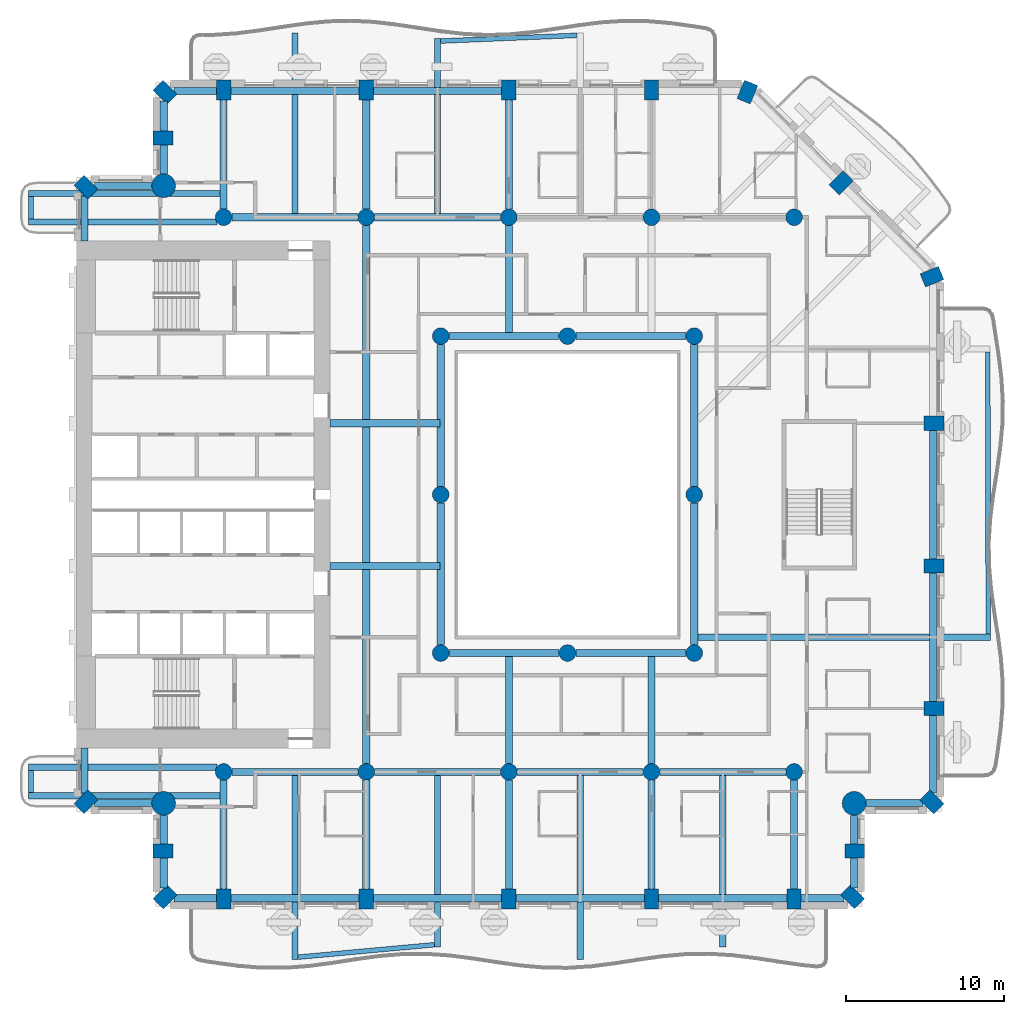
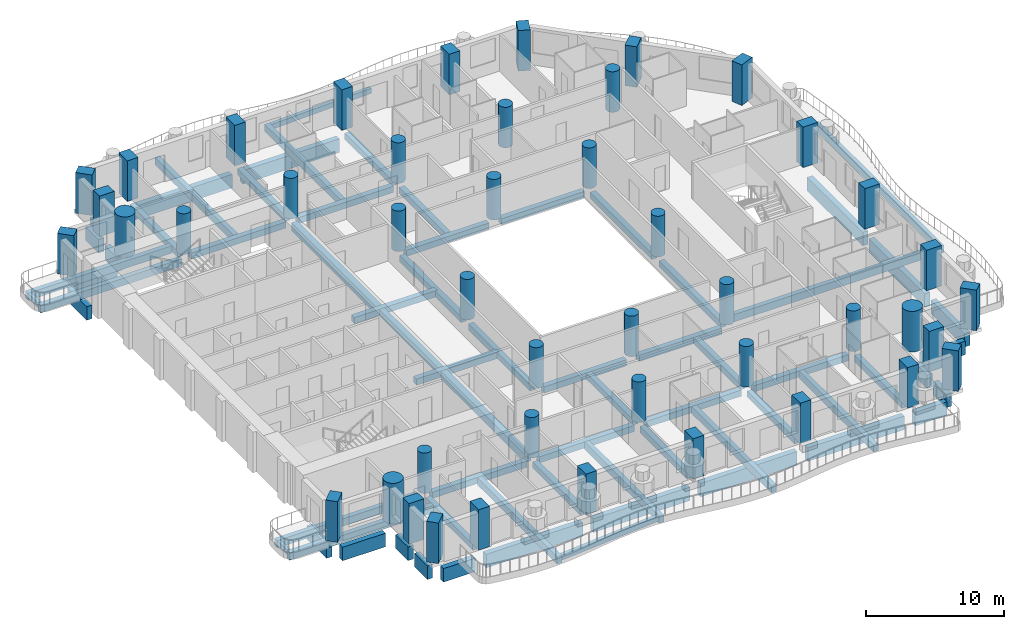
# One storey, part 1 of 20: 69 beams, 45 columns.
"""IFC4 building model written with IfcOpenShell, lengths in metres."""

from ifc_helpers import new_model, si_unit, direction, frame, origin, origin_2d, place, context, subcontext, project, spatial, rectangle, circle, extrude, material, material_profile, profile_set, type_object, element, save


model = new_model("IFC4")

# Units and contexts
model_context = context("Model", 3, precision=1e-05, world=origin(), true_north=direction((0.0, 1.0)))
body_context = subcontext(model_context, "Body", "Model", "MODEL_VIEW")
ifc_project = project(units=[si_unit("LENGTHUNIT", "METRE"), si_unit("AREAUNIT", "SQUARE_METRE"), si_unit("VOLUMEUNIT", "CUBIC_METRE"), si_unit("PLANEANGLEUNIT", "RADIAN"), si_unit("MASSUNIT", "GRAM", prefix="KILO")], contexts=[model_context])

# Site, building, storey
site_placement = place(None, origin())
site = spatial("IfcSite", under=ifc_project, at=site_placement, CompositionType="ELEMENT")
building_placement = place(site_placement, origin())
building = spatial("IfcBuilding", under=site, at=building_placement, Name="Cypress Arch Tower", CompositionType="ELEMENT")
storey_placement = place(building_placement, frame((0.0, 0.0, 134.699951171875)))
storey = spatial("IfcBuildingStorey", under=building, at=storey_placement, Name="L29", CompositionType="ELEMENT", Elevation=134.699951171875)

# Columns
ifc_material_1 = material(Name="Concrete C80/95", Category="concrete")
ifc_material_profile_1 = material_profile(ifc_material_1, rectangle(XDim=0.89990234375, YDim=1.25, at=origin_2d()), Name="RC 900x1250")
ifc_profile_set_1 = profile_set([ifc_material_profile_1], Name="Concrete C80/95")
column_type_1 = type_object("IfcColumnType", Name="Column RC 900x1250 Concrete C80/95", PredefinedType="COLUMN", material=ifc_profile_set_1)
for number, where, z_axis, x_axis, name in (
    (1, (-29.389892578125, 19.389892578125, 0.0), (0.0, 0.0, 1.0), (-0.707106781187, -0.707106781187, 0.0), "Column L29 CA00"),
    (2, (-29.389892578125, -19.389892578125, 0.0), (0.0, 0.0, 1.0), (0.707106781187, -0.707106781187, 0.0), "Column L29 CA01"),
    (3, (-24.52490234375, -22.5, 0.0), (0.0, 0.0, 1.0), (0.0, -1.0, 0.0), "Column L29 CA03"),
    (4, (-24.389892578125, -25.389892578125, 0.0), (0.0, 0.0, 1.0), (0.707106781187, -0.707106781187, 0.0), "Column L29 CA04"),
    (5, (-20.699951171875, -25.52490234375, 0.0), (0.0, 0.0, 1.0), (1.0, 0.0, 0.0), "Column L29 CA05"),
    (6, (-11.699951171875, -25.52490234375, 0.0), (0.0, 0.0, 1.0), (1.0, 0.0, 0.0), "Column L29 CA06"),
    (7, (-2.699951171875, -25.52490234375, 0.0), (0.0, 0.0, 1.0), (1.0, 0.0, 0.0), "Column L29 CA07"),
    (8, (6.300048828125, -25.52490234375, 0.0), (0.0, 0.0, 1.0), (1.0, 0.0, 0.0), "Column L29 CA08"),
    (9, (15.300048828125, -25.52490234375, 0.0), (0.0, 0.0, 1.0), (1.0, 0.0, 0.0), "Column L29 CA09"),
    (10, (18.98974609375, -25.389892578125, 0.0), (0.0, 0.0, 1.0), (0.707106781187, 0.707106781187, 0.0), "Column L29 CA10"),
    (11, (19.125, -22.5, 0.0), (0.0, 0.0, 1.0), (0.0, 1.0, 0.0), "Column L29 CA11"),
    (12, (23.98974609375, -19.389892578125, 0.0), (0.0, 0.0, 1.0), (0.707106781187, 0.707106781187, 0.0), "Column L29 CA13"),
    (13, (24.125, -13.5, 0.0), (0.0, 0.0, 1.0), (0.0, 1.0, 0.0), "Column L29 CA14"),
    (14, (24.125, -4.5, 0.0), (0.0, 0.0, 1.0), (0.0, 1.0, 0.0), "Column L29 CA15"),
    (15, (24.125, 4.5, 0.0), (0.0, 0.0, 1.0), (0.0, 1.0, 0.0), "Column L29 CA16"),
    (16, (24.00048828125, 13.751708984375, 0.0), (0.0, 0.0, 1.0), (-0.382683496864, 0.923879505795, 0.0), "Column L29 CA17"),
    (17, (18.26416015625, 19.6640625, 0.0), (0.0, 0.0, 1.0), (-0.707106781187, 0.707106781187, 0.0), "Column L29 CA18"),
    (18, (12.3515625, 25.400390625, 0.0), (0.0, 0.0, 1.0), (-0.923879505795, 0.382683496864, 0.0), "Column L29 CA19"),
    (19, (6.300048828125, 25.52490234375, 0.0), (0.0, 0.0, 1.0), (-1.0, 0.0, 0.0), "Column L29 CA20"),
    (20, (-2.699951171875, 25.52490234375, 0.0), (0.0, 0.0, 1.0), (-1.0, 0.0, 0.0), "Column L29 CA21"),
    (21, (-11.699951171875, 25.52490234375, 0.0), (0.0, 0.0, 1.0), (-1.0, 0.0, 0.0), "Column L29 CA22"),
    (22, (-20.699951171875, 25.52490234375, 0.0), (0.0, 0.0, 1.0), (-1.0, 0.0, 0.0), "Column L29 CA23"),
    (23, (-24.389892578125, 25.389892578125, 0.0), (0.0, 0.0, 1.0), (-0.707106781187, -0.707106781187, 0.0), "Column L29 CA24"),
    (24, (-24.52490234375, 22.5, 0.0), (0.0, 0.0, 1.0), (0.0, -1.0, 0.0), "Column L29 CA25"),
):
    element("IfcColumn", number, at=place(storey_placement, frame(where, z_axis=z_axis, x_axis=x_axis)), inside=storey, type_object=column_type_1, Name=name, PredefinedType="COLUMN", context=body_context, shape_type="SweptSolid", body=[
        extrude(rectangle(XDim=0.89990234375, YDim=1.25, at=origin_2d()), origin(), (0.0, 0.0, 1.0), 3.60009765625),
    ])
ifc_material_2 = material(Name="Concrete C70/85", Category="concrete")
ifc_material_profile_2 = material_profile(ifc_material_2, circle(Radius=0.52490234375, at=origin_2d()), Name="RC D1050")
ifc_profile_set_2 = profile_set([ifc_material_profile_2], Name="Concrete C70/85")
column_type_2 = type_object("IfcColumnType", Name="Column RC D1050 Concrete C70/85", PredefinedType="COLUMN", material=ifc_profile_set_2)
for number, where, z_axis, x_axis, name in (
    (25, (-20.699951171875, -17.5, 0.0), (0.0, 0.0, 1.0), (1.0, 0.0, 0.0), "Column L29 CIC-L29-CI3S"),
    (26, (-11.699951171875, -17.5, 0.0), (0.0, 0.0, 1.0), (1.0, 0.0, 0.0), "Column L29 CIC-L29-CI4S"),
    (27, (-2.699951171875, -17.5, 0.0), (0.0, 0.0, 1.0), (1.0, 0.0, 0.0), "Column L29 CIC-L29-CI5S"),
    (28, (6.300048828125, -17.5, 0.0), (0.0, 0.0, 1.0), (1.0, 0.0, 0.0), "Column L29 CIC-L29-CI6S"),
    (29, (15.300048828125, -17.5, 0.0), (0.0, 0.0, 1.0), (1.0, 0.0, 0.0), "Column L29 CIC-L29-CI7S"),
    (30, (-20.699951171875, 17.5, 0.0), (0.0, 0.0, 1.0), (1.0, 0.0, 0.0), "Column L29 CIC-L29-CI3N"),
    (31, (-11.699951171875, 17.5, 0.0), (0.0, 0.0, 1.0), (1.0, 0.0, 0.0), "Column L29 CIC-L29-CI4N"),
    (32, (-2.699951171875, 17.5, 0.0), (0.0, 0.0, 1.0), (1.0, 0.0, 0.0), "Column L29 CIC-L29-CI5N"),
    (33, (6.300048828125, 17.5, 0.0), (0.0, 0.0, 1.0), (1.0, 0.0, 0.0), "Column L29 CIC-L29-CI6N"),
    (34, (15.300048828125, 17.5, 0.0), (0.0, 0.0, 1.0), (1.0, 0.0, 0.0), "Column L29 CIC-L29-CI7N"),
    (35, (-7.0, -10.0, 0.0), (0.0, 0.0, 1.0), (1.0, 0.0, 0.0), "Column L29 RNG-L29-G-7-10"),
    (36, (-7.0, 0.0, 0.0), (0.0, 0.0, 1.0), (1.0, 0.0, 0.0), "Column L29 RNG-L29-G-7+0"),
    (37, (-7.0, 10.0, 0.0), (0.0, 0.0, 1.0), (1.0, 0.0, 0.0), "Column L29 RNG-L29-G-7+10"),
    (38, (1.0, -10.0, 0.0), (0.0, 0.0, 1.0), (1.0, 0.0, 0.0), "Column L29 RNG-L29-G+1-10"),
    (39, (1.0, 10.0, 0.0), (0.0, 0.0, 1.0), (1.0, 0.0, 0.0), "Column L29 RNG-L29-G+1+10"),
    (40, (9.0, -10.0, 0.0), (0.0, 0.0, 1.0), (1.0, 0.0, 0.0), "Column L29 RNG-L29-G+9-10"),
    (41, (9.0, 0.0, 0.0), (0.0, 0.0, 1.0), (1.0, 0.0, 0.0), "Column L29 RNG-L29-G+9+0"),
    (42, (9.0, 10.0, 0.0), (0.0, 0.0, 1.0), (1.0, 0.0, 0.0), "Column L29 RNG-L29-G+9+10"),
):
    element("IfcColumn", number, at=place(storey_placement, frame(where, z_axis=z_axis, x_axis=x_axis)), inside=storey, type_object=column_type_2, Name=name, PredefinedType="COLUMN", context=body_context, shape_type="SweptSolid", body=[
        extrude(circle(Radius=0.52490234375, at=origin_2d()), origin(), (0.0, 0.0, 1.0), 3.60009765625),
    ])
ifc_material_3 = material(Name="Concrete C80/95", Category="concrete")
ifc_material_profile_3 = material_profile(ifc_material_3, circle(Radius=0.75, at=origin_2d()), Name="RC D1500")
ifc_profile_set_3 = profile_set([ifc_material_profile_3], Name="Concrete C80/95")
column_type_3 = type_object("IfcColumnType", Name="Mega-column RC D1500 Concrete C80/95", PredefinedType="COLUMN", material=ifc_profile_set_3)
for number, where, z_axis, x_axis, name in (
    (43, (-24.48779296875, -19.48779296875, 0.0), (0.0, 0.0, 1.0), (1.0, 0.0, 0.0), "Column L29 CA02"),
    (44, (19.087890625, -19.48779296875, 0.0), (0.0, 0.0, 1.0), (1.0, 0.0, 0.0), "Column L29 CA12"),
    (45, (-24.48779296875, 19.48779296875, 0.0), (0.0, 0.0, 1.0), (1.0, 0.0, 0.0), "Column L29 CA26"),
):
    element("IfcColumn", number, at=place(storey_placement, frame(where, z_axis=z_axis, x_axis=x_axis)), inside=storey, type_object=column_type_3, Name=name, PredefinedType="COLUMN", context=body_context, shape_type="SweptSolid", body=[
        extrude(circle(Radius=0.75, at=origin_2d()), origin(), (0.0, 0.0, 1.0), 3.60009765625),
    ])

# Beams
ifc_material_4 = material(Name="Concrete C50/60", Category="concrete")
ifc_material_profile_4 = material_profile(ifc_material_4, rectangle(XDim=0.300048828125, YDim=0.449951171875, at=origin_2d()), Name="RC 300x450")
ifc_profile_set_4 = profile_set([ifc_material_profile_4], Name="Concrete C50/60")
beam_type_1 = type_object("IfcBeamType", Name="Balcony edge beam RC 300x450 Concrete C50/60", PredefinedType="BEAM", material=ifc_profile_set_4)
beam_1_placement = place(storey_placement, frame((-16.0, -29.191650390625, -0.52490234375), z_axis=(0.995883931978, 0.090637707543, 0.0), x_axis=(-0.090637707543, 0.995883931978, 0.0)))
element("IfcBeam", 46, at=beam_1_placement, inside=storey, type_object=beam_type_1, Name="Balcony edge beam L29 A03", PredefinedType="BEAM", context=body_context, shape_type="SweptSolid", body=[
    extrude(rectangle(XDim=0.300048828125, YDim=0.449951171875, at=origin_2d()), origin(), (0.0, 0.0, 1.0), 8.6357421875),
])
beam_2_placement = place(storey_placement, frame((1.60009765625, 28.9814453125, -0.52490234375), z_axis=(-0.999116180262, -0.042034014056, 0.0), x_axis=(0.042034014056, -0.999116180262, 0.0)))
element("IfcBeam", 47, at=beam_2_placement, inside=storey, type_object=beam_type_1, Name="Balcony edge beam L29 A08", PredefinedType="BEAM", context=body_context, shape_type="SweptSolid", body=[
    extrude(rectangle(XDim=0.300048828125, YDim=0.449951171875, at=origin_2d()), origin(), (0.0, 0.0, 1.0), 8.607666015625),
])
ifc_material_5 = material(Name="Concrete C50/60", Category="concrete")
ifc_material_profile_5 = material_profile(ifc_material_5, rectangle(XDim=0.300048828125, YDim=0.64990234375, at=origin_2d()), Name="RC 300x650")
ifc_profile_set_5 = profile_set([ifc_material_profile_5], Name="Concrete C50/60")
beam_type_2 = type_object("IfcBeamType", Name="Balcony edge beam RC 300x650 Concrete C50/60", PredefinedType="BEAM", material=ifc_profile_set_5)
beam_3_placement = place(storey_placement, frame((27.552001953125, -8.800048828125, -0.625), z_axis=(-0.001605839349, 0.999998710639, 0.0), x_axis=(-0.999998710639, -0.001605839349, 0.0)))
element("IfcBeam", 48, at=beam_3_placement, inside=storey, type_object=beam_type_2, Name="Balcony edge beam L29 A06", PredefinedType="BEAM", context=body_context, shape_type="SweptSolid", body=[
    extrude(rectangle(XDim=0.300048828125, YDim=0.64990234375, at=origin_2d()), origin(), (0.0, 0.0, 1.0), 17.787841796875),
])
ifc_material_6 = material(Name="Concrete C50/60", Category="concrete")
ifc_material_profile_6 = material_profile(ifc_material_6, rectangle(XDim=0.300048828125, YDim=0.39990234375, at=origin_2d()), Name="RC 300x400")
ifc_profile_set_6 = profile_set([ifc_material_profile_6], Name="Concrete C50/60")
beam_type_3 = type_object("IfcBeamType", Name="Balcony stub beam RC 300x400 Concrete C50/60", PredefinedType="BEAM", material=ifc_profile_set_6)
for number, where, z_axis, x_axis, name in (
    (49, (-32.85009765625, 18.800048828125, -0.5), (0.0, -1.0, 0.0), (1.0, 0.0, 0.0), "Balcony stub beam L29 A00W0"),
    (50, (-32.85009765625, -17.39990234375, -0.5), (0.0, -1.0, 0.0), (1.0, 0.0, 0.0), "Balcony stub beam L29 A00W1"),
):
    element("IfcBeam", number, at=place(storey_placement, frame(where, z_axis=z_axis, x_axis=x_axis)), inside=storey, type_object=beam_type_3, Name=name, PredefinedType="BEAM", context=body_context, shape_type="SweptSolid", body=[
        extrude(rectangle(XDim=0.300048828125, YDim=0.39990234375, at=origin_2d()), origin(), (0.0, 0.0, 1.0), 1.400146484375),
    ])
ifc_material_7 = material(Name="Concrete C50/60", Category="concrete")
ifc_material_profile_7 = material_profile(ifc_material_7, rectangle(XDim=0.39990234375, YDim=0.64990234375, at=origin_2d()), Name="RC 400x650")
ifc_profile_set_7 = profile_set([ifc_material_profile_7], Name="Concrete C50/60")
beam_type_4 = type_object("IfcBeamType", Name="Cantilever beam RC 400x650 Concrete C50/60", PredefinedType="BEAM", material=ifc_profile_set_7)
beam_4_placement = place(storey_placement, frame((-20.925048828125, 19.0, -0.625), z_axis=(-1.0, 0.0, 0.0), x_axis=(0.0, -1.0, 0.0)))
element("IfcBeam", 51, at=beam_4_placement, inside=storey, type_object=beam_type_4, Name="Cantilever beam L29 A00 1", PredefinedType="BEAM", context=body_context, shape_type="SweptSolid", body=[
    extrude(rectangle(XDim=0.39990234375, YDim=0.64990234375, at=origin_2d()), origin(), (0.0, 0.0, 1.0), 12.074951171875),
])
for number, where, z_axis, x_axis, name in (
    (52, (-21.130615234375, 17.199951171875, -0.625), (-1.0, 0.0, 0.0), (0.0, -1.0, 0.0), "Cantilever beam L29 A00 2"),
    (53, (-21.130615234375, -17.199951171875, -0.625), (-1.0, 0.0, 0.0), (0.0, -1.0, 0.0), "Cantilever beam L29 A00 1"),
):
    element("IfcBeam", number, at=place(storey_placement, frame(where, z_axis=z_axis, x_axis=x_axis)), inside=storey, type_object=beam_type_4, Name=name, PredefinedType="BEAM", context=body_context, shape_type="SweptSolid", body=[
        extrude(rectangle(XDim=0.39990234375, YDim=0.64990234375, at=origin_2d()), origin(), (0.0, 0.0, 1.0), 11.869384765625),
    ])
beam_5_placement = place(storey_placement, frame((-20.925048828125, -19.0, -0.625), z_axis=(-1.0, 0.0, 0.0), x_axis=(0.0, -1.0, 0.0)))
element("IfcBeam", 54, at=beam_5_placement, inside=storey, type_object=beam_type_4, Name="Cantilever beam L29 A00 2", PredefinedType="BEAM", context=body_context, shape_type="SweptSolid", body=[
    extrude(rectangle(XDim=0.39990234375, YDim=0.64990234375, at=origin_2d()), origin(), (0.0, 0.0, 1.0), 12.074951171875),
])
beam_6_placement = place(storey_placement, frame((-16.199951171875, -17.72509765625, -0.625), z_axis=(0.0, -1.0, 0.0), x_axis=(1.0, 0.0, 0.0)))
element("IfcBeam", 55, at=beam_6_placement, inside=storey, type_object=beam_type_4, Name="Cantilever beam L29 A03 1", PredefinedType="BEAM", context=body_context, shape_type="SweptSolid", body=[
    extrude(rectangle(XDim=0.39990234375, YDim=0.64990234375, at=origin_2d()), origin(), (0.0, 0.0, 1.0), 11.616455078125),
])
beam_7_placement = place(storey_placement, frame((-7.199951171875, -17.72509765625, -0.625), z_axis=(0.0, -1.0, 0.0), x_axis=(1.0, 0.0, 0.0)))
element("IfcBeam", 56, at=beam_7_placement, inside=storey, type_object=beam_type_4, Name="Cantilever beam L29 A03 2", PredefinedType="BEAM", context=body_context, shape_type="SweptSolid", body=[
    extrude(rectangle(XDim=0.39990234375, YDim=0.64990234375, at=origin_2d()), origin(), (0.0, 0.0, 1.0), 10.833740234375),
])
beam_8_placement = place(storey_placement, frame((1.800048828125, -17.72509765625, -0.625), z_axis=(0.0, -1.0, 0.0), x_axis=(1.0, 0.0, 0.0)))
element("IfcBeam", 57, at=beam_8_placement, inside=storey, type_object=beam_type_4, Name="Cantilever beam L29 A03 3", PredefinedType="BEAM", context=body_context, shape_type="SweptSolid", body=[
    extrude(rectangle(XDim=0.39990234375, YDim=0.64990234375, at=origin_2d()), origin(), (0.0, 0.0, 1.0), 11.61572265625),
])
beam_9_placement = place(storey_placement, frame((10.800048828125, -17.72509765625, -0.625), z_axis=(0.0, -1.0, 0.0), x_axis=(1.0, 0.0, 0.0)))
element("IfcBeam", 58, at=beam_9_placement, inside=storey, type_object=beam_type_4, Name="Cantilever beam L29 A03 4", PredefinedType="BEAM", context=body_context, shape_type="SweptSolid", body=[
    extrude(rectangle(XDim=0.39990234375, YDim=0.64990234375, at=origin_2d()), origin(), (0.0, 0.0, 1.0), 10.833740234375),
])
beam_10_placement = place(storey_placement, frame((9.22509765625, -9.0, -0.625), z_axis=(1.0, 0.0, 0.0), x_axis=(0.0, 1.0, 0.0)))
element("IfcBeam", 59, at=beam_10_placement, inside=storey, type_object=beam_type_4, Name="Cantilever beam L29 A06 1", PredefinedType="BEAM", context=body_context, shape_type="SweptSolid", body=[
    extrude(rectangle(XDim=0.39990234375, YDim=0.64990234375, at=origin_2d()), origin(), (0.0, 0.0, 1.0), 18.47705078125),
])
beam_11_placement = place(storey_placement, frame((-7.199951171875, 17.72509765625, -0.625), z_axis=(0.0, 1.0, 0.0), x_axis=(-1.0, 0.0, 0.0)))
element("IfcBeam", 60, at=beam_11_placement, inside=storey, type_object=beam_type_4, Name="Cantilever beam L29 A08 2", PredefinedType="BEAM", context=body_context, shape_type="SweptSolid", body=[
    extrude(rectangle(XDim=0.39990234375, YDim=0.64990234375, at=origin_2d()), origin(), (0.0, 0.0, 1.0), 11.044677734375),
])
beam_12_placement = place(storey_placement, frame((-16.199951171875, 17.72509765625, -0.625), z_axis=(0.0, 1.0, 0.0), x_axis=(-1.0, 0.0, 0.0)))
element("IfcBeam", 61, at=beam_12_placement, inside=storey, type_object=beam_type_4, Name="Cantilever beam L29 A08 3", PredefinedType="BEAM", context=body_context, shape_type="SweptSolid", body=[
    extrude(rectangle(XDim=0.39990234375, YDim=0.64990234375, at=origin_2d()), origin(), (0.0, 0.0, 1.0), 11.402587890625),
])
ifc_material_8 = material(Name="Concrete C50/60", Category="concrete")
ifc_material_profile_8 = material_profile(ifc_material_8, rectangle(XDim=0.449951171875, YDim=0.550048828125, at=origin_2d()), Name="RC 450x550")
ifc_profile_set_8 = profile_set([ifc_material_profile_8], Name="Concrete C50/60")
beam_type_5 = type_object("IfcBeamType", Name="Floor beam RC 450x550 Concrete C50/60", PredefinedType="BEAM", material=ifc_profile_set_8)
for number, where, z_axis, x_axis, name in (
    (62, (-7.0, -9.47509765625, -0.574951171875), (0.0, 1.0, 0.0), (-1.0, 0.0, 0.0), "Floor beam L29 RB001"),
    (63, (-7.0, 0.52490234375, -0.574951171875), (0.0, 1.0, 0.0), (-1.0, 0.0, 0.0), "Floor beam L29 RB002"),
    (64, (9.0, -9.47509765625, -0.574951171875), (0.0, 1.0, 0.0), (-1.0, 0.0, 0.0), "Floor beam L29 RB003"),
    (65, (9.0, 0.52490234375, -0.574951171875), (0.0, 1.0, 0.0), (-1.0, 0.0, 0.0), "Floor beam L29 RB004"),
):
    element("IfcBeam", number, at=place(storey_placement, frame(where, z_axis=z_axis, x_axis=x_axis)), inside=storey, type_object=beam_type_5, Name=name, PredefinedType="BEAM", context=body_context, shape_type="SweptSolid", body=[
        extrude(rectangle(XDim=0.449951171875, YDim=0.550048828125, at=origin_2d()), origin(), (0.0, 0.0, 1.0), 8.9501953125),
    ])
for number, where, z_axis, x_axis, name in (
    (66, (-6.47509765625, -10.0, -0.574951171875), (1.0, 0.0, 0.0), (0.0, 1.0, 0.0), "Floor beam L29 RB005"),
    (67, (1.52490234375, -10.0, -0.574951171875), (1.0, 0.0, 0.0), (0.0, 1.0, 0.0), "Floor beam L29 RB006"),
    (68, (-6.47509765625, 10.0, -0.574951171875), (1.0, 0.0, 0.0), (0.0, 1.0, 0.0), "Floor beam L29 RB007"),
    (69, (1.52490234375, 10.0, -0.574951171875), (1.0, 0.0, 0.0), (0.0, 1.0, 0.0), "Floor beam L29 RB008"),
):
    element("IfcBeam", number, at=place(storey_placement, frame(where, z_axis=z_axis, x_axis=x_axis)), inside=storey, type_object=beam_type_5, Name=name, PredefinedType="BEAM", context=body_context, shape_type="SweptSolid", body=[
        extrude(rectangle(XDim=0.449951171875, YDim=0.550048828125, at=origin_2d()), origin(), (0.0, 0.0, 1.0), 6.9501953125),
    ])
for number, where, z_axis, x_axis, name in (
    (70, (-20.175048828125, -17.5, -0.574951171875), (1.0, 0.0, 0.0), (0.0, 1.0, 0.0), "Floor beam L29 FB009"),
    (71, (-11.175048828125, -17.5, -0.574951171875), (1.0, 0.0, 0.0), (0.0, 1.0, 0.0), "Floor beam L29 FB010"),
    (72, (-2.175048828125, -17.5, -0.574951171875), (1.0, 0.0, 0.0), (0.0, 1.0, 0.0), "Floor beam L29 FB011"),
    (73, (6.824951171875, -17.5, -0.574951171875), (1.0, 0.0, 0.0), (0.0, 1.0, 0.0), "Floor beam L29 FB012"),
):
    element("IfcBeam", number, at=place(storey_placement, frame(where, z_axis=z_axis, x_axis=x_axis)), inside=storey, type_object=beam_type_5, Name=name, PredefinedType="BEAM", context=body_context, shape_type="SweptSolid", body=[
        extrude(rectangle(XDim=0.449951171875, YDim=0.550048828125, at=origin_2d()), origin(), (0.0, 0.0, 1.0), 7.949951171875),
    ])
for number, where, z_axis, x_axis, name in (
    (74, (-14.0, -4.5, -0.574951171875), (1.0, 0.0, 0.0), (0.0, 1.0, 0.0), "Floor beam L29 FB013"),
    (75, (-14.0, 4.5, -0.574951171875), (1.0, 0.0, 0.0), (0.0, 1.0, 0.0), "Floor beam L29 FB014"),
):
    element("IfcBeam", number, at=place(storey_placement, frame(where, z_axis=z_axis, x_axis=x_axis)), inside=storey, type_object=beam_type_5, Name=name, PredefinedType="BEAM", context=body_context, shape_type="SweptSolid", body=[
        extrude(rectangle(XDim=0.449951171875, YDim=0.550048828125, at=origin_2d()), origin(), (0.0, 0.0, 1.0), 6.949951171875),
    ])
for number, where, z_axis, x_axis, name in (
    (76, (-20.175048828125, 17.5, -0.574951171875), (1.0, 0.0, 0.0), (0.0, 1.0, 0.0), "Floor beam L29 FB015"),
    (77, (-11.175048828125, 17.5, -0.574951171875), (1.0, 0.0, 0.0), (0.0, 1.0, 0.0), "Floor beam L29 FB016"),
):
    element("IfcBeam", number, at=place(storey_placement, frame(where, z_axis=z_axis, x_axis=x_axis)), inside=storey, type_object=beam_type_5, Name=name, PredefinedType="BEAM", context=body_context, shape_type="SweptSolid", body=[
        extrude(rectangle(XDim=0.449951171875, YDim=0.550048828125, at=origin_2d()), origin(), (0.0, 0.0, 1.0), 7.949951171875),
    ])
for number, where, z_axis, x_axis, name in (
    (78, (-20.699951171875, -24.89990234375, -0.574951171875), (0.0, 1.0, 0.0), (-1.0, 0.0, 0.0), "Floor beam L29 FB019"),
    (79, (-20.699951171875, 18.02490234375, -0.574951171875), (0.0, 1.0, 0.0), (-1.0, 0.0, 0.0), "Floor beam L29 FB020"),
    (80, (-11.699951171875, -24.89990234375, -0.574951171875), (0.0, 1.0, 0.0), (-1.0, 0.0, 0.0), "Floor beam L29 FB021"),
):
    element("IfcBeam", number, at=place(storey_placement, frame(where, z_axis=z_axis, x_axis=x_axis)), inside=storey, type_object=beam_type_5, Name=name, PredefinedType="BEAM", context=body_context, shape_type="SweptSolid", body=[
        extrude(rectangle(XDim=0.449951171875, YDim=0.550048828125, at=origin_2d()), origin(), (0.0, 0.0, 1.0), 6.875),
    ])
beam_13_placement = place(storey_placement, frame((-11.699951171875, -4.27490234375, -0.574951171875), z_axis=(0.0, 1.0, 0.0), x_axis=(-1.0, 0.0, 0.0)))
element("IfcBeam", 81, at=beam_13_placement, inside=storey, type_object=beam_type_5, Name="Floor beam L29 FB023", PredefinedType="BEAM", context=body_context, shape_type="SweptSolid", body=[
    extrude(rectangle(XDim=0.449951171875, YDim=0.550048828125, at=origin_2d()), origin(), (0.0, 0.0, 1.0), 8.5498046875),
])
for number, where, z_axis, x_axis, name in (
    (82, (-11.699951171875, 18.02490234375, -0.574951171875), (0.0, 1.0, 0.0), (-1.0, 0.0, 0.0), "Floor beam L29 FB025"),
    (83, (-2.699951171875, -24.89990234375, -0.574951171875), (0.0, 1.0, 0.0), (-1.0, 0.0, 0.0), "Floor beam L29 FB026"),
):
    element("IfcBeam", number, at=place(storey_placement, frame(where, z_axis=z_axis, x_axis=x_axis)), inside=storey, type_object=beam_type_5, Name=name, PredefinedType="BEAM", context=body_context, shape_type="SweptSolid", body=[
        extrude(rectangle(XDim=0.449951171875, YDim=0.550048828125, at=origin_2d()), origin(), (0.0, 0.0, 1.0), 6.875),
    ])
for number, where, z_axis, x_axis, name in (
    (84, (-2.699951171875, -16.97509765625, -0.574951171875), (0.0, 1.0, 0.0), (-1.0, 0.0, 0.0), "Floor beam L29 FB027"),
    (85, (-2.699951171875, 10.22509765625, -0.574951171875), (0.0, 1.0, 0.0), (-1.0, 0.0, 0.0), "Floor beam L29 FB028"),
):
    element("IfcBeam", number, at=place(storey_placement, frame(where, z_axis=z_axis, x_axis=x_axis)), inside=storey, type_object=beam_type_5, Name=name, PredefinedType="BEAM", context=body_context, shape_type="SweptSolid", body=[
        extrude(rectangle(XDim=0.449951171875, YDim=0.550048828125, at=origin_2d()), origin(), (0.0, 0.0, 1.0), 6.75),
    ])
for number, where, z_axis, x_axis, name in (
    (86, (-2.699951171875, 18.02490234375, -0.574951171875), (0.0, 1.0, 0.0), (-1.0, 0.0, 0.0), "Floor beam L29 FB029"),
    (87, (6.300048828125, -24.89990234375, -0.574951171875), (0.0, 1.0, 0.0), (-1.0, 0.0, 0.0), "Floor beam L29 FB030"),
):
    element("IfcBeam", number, at=place(storey_placement, frame(where, z_axis=z_axis, x_axis=x_axis)), inside=storey, type_object=beam_type_5, Name=name, PredefinedType="BEAM", context=body_context, shape_type="SweptSolid", body=[
        extrude(rectangle(XDim=0.449951171875, YDim=0.550048828125, at=origin_2d()), origin(), (0.0, 0.0, 1.0), 6.875),
    ])
beam_14_placement = place(storey_placement, frame((6.300048828125, -16.97509765625, -0.574951171875), z_axis=(0.0, 1.0, 0.0), x_axis=(-1.0, 0.0, 0.0)))
element("IfcBeam", 88, at=beam_14_placement, inside=storey, type_object=beam_type_5, Name="Floor beam L29 FB031", PredefinedType="BEAM", context=body_context, shape_type="SweptSolid", body=[
    extrude(rectangle(XDim=0.449951171875, YDim=0.550048828125, at=origin_2d()), origin(), (0.0, 0.0, 1.0), 6.75),
])
beam_15_placement = place(storey_placement, frame((15.300048828125, -24.89990234375, -0.574951171875), z_axis=(0.0, 1.0, 0.0), x_axis=(-1.0, 0.0, 0.0)))
element("IfcBeam", 89, at=beam_15_placement, inside=storey, type_object=beam_type_5, Name="Floor beam L29 FB034", PredefinedType="BEAM", context=body_context, shape_type="SweptSolid", body=[
    extrude(rectangle(XDim=0.449951171875, YDim=0.550048828125, at=origin_2d()), origin(), (0.0, 0.0, 1.0), 6.875),
])
ifc_material_9 = material(Name="Concrete C50/60", Category="concrete")
ifc_material_profile_9 = material_profile(ifc_material_9, rectangle(XDim=0.5, YDim=0.699951171875, at=origin_2d()), Name="RC 500x700")
ifc_profile_set_9 = profile_set([ifc_material_profile_9], Name="Concrete C50/60")
beam_type_6 = type_object("IfcBeamType", Name="Floor beam RC 500x700 Concrete C50/60", PredefinedType="BEAM", material=ifc_profile_set_9)
for number, where, z_axis, x_axis, name in (
    (90, (-11.699951171875, -16.97509765625, -0.64990234375), (0.0, 1.0, 0.0), (-1.0, 0.0, 0.0), "Floor beam L29 FB022"),
    (91, (-11.699951171875, 4.72509765625, -0.64990234375), (0.0, 1.0, 0.0), (-1.0, 0.0, 0.0), "Floor beam L29 FB024"),
):
    element("IfcBeam", number, at=place(storey_placement, frame(where, z_axis=z_axis, x_axis=x_axis)), inside=storey, type_object=beam_type_6, Name=name, PredefinedType="BEAM", context=body_context, shape_type="SweptSolid", body=[
        extrude(rectangle(XDim=0.5, YDim=0.699951171875, at=origin_2d()), origin(), (0.0, 0.0, 1.0), 12.25),
    ])
ifc_material_10 = material(Name="Concrete C50/60", Category="concrete")
ifc_material_profile_10 = material_profile(ifc_material_10, rectangle(XDim=0.449951171875, YDim=1.199951171875, at=origin_2d()), Name="RC 450x1200")
ifc_profile_set_10 = profile_set([ifc_material_profile_10], Name="Concrete C50/60")
beam_type_7 = type_object("IfcBeamType", Name="Spandrel beam RC 450x1200 Concrete C50/60", PredefinedType="SPANDREL", material=ifc_profile_set_10)
for number, where, z_axis, x_axis, name in (
    (92, (-29.47509765625, 18.838623046875, -1.550048828125), (0.0, -1.0, 0.0), (1.0, 0.0, 0.0), "Spandrel beam L29 BA00-0"),
    (93, (-29.47509765625, -16.0, -1.550048828125), (0.0, -1.0, 0.0), (1.0, 0.0, 0.0), "Spandrel beam L29 BA00-0"),
):
    element("IfcBeam", number, at=place(storey_placement, frame(where, z_axis=z_axis, x_axis=x_axis)), inside=storey, type_object=beam_type_7, Name=name, PredefinedType="SPANDREL", context=body_context, shape_type="SweptSolid", body=[
        extrude(rectangle(XDim=0.449951171875, YDim=1.199951171875, at=origin_2d()), origin(), (0.0, 0.0, 1.0), 2.838623046875),
    ])
beam_16_placement = place(storey_placement, frame((-28.838623046875, -19.47509765625, -1.550048828125), z_axis=(1.0, 0.0, 0.0), x_axis=(0.0, 1.0, 0.0)))
element("IfcBeam", 94, at=beam_16_placement, inside=storey, type_object=beam_type_7, Name="Spandrel beam L29 BA01-0", PredefinedType="SPANDREL", context=body_context, shape_type="SweptSolid", body=[
    extrude(rectangle(XDim=0.449951171875, YDim=1.199951171875, at=origin_2d()), origin(), (0.0, 0.0, 1.0), 3.60107421875),
])
beam_17_placement = place(storey_placement, frame((-24.47509765625, -20.237548828125, -1.550048828125), z_axis=(0.0, -1.0, 0.0), x_axis=(1.0, 0.0, 0.0)))
element("IfcBeam", 95, at=beam_17_placement, inside=storey, type_object=beam_type_7, Name="Spandrel beam L29 BA02-0", PredefinedType="SPANDREL", context=body_context, shape_type="SweptSolid", body=[
    extrude(rectangle(XDim=0.449951171875, YDim=1.199951171875, at=origin_2d()), origin(), (0.0, 0.0, 1.0), 1.8125),
])
beam_18_placement = place(storey_placement, frame((-24.47509765625, -22.949951171875, -1.550048828125), z_axis=(0.0, -1.0, 0.0), x_axis=(1.0, 0.0, 0.0)))
element("IfcBeam", 96, at=beam_18_placement, inside=storey, type_object=beam_type_7, Name="Spandrel beam L29 BA02-1", PredefinedType="SPANDREL", context=body_context, shape_type="SweptSolid", body=[
    extrude(rectangle(XDim=0.449951171875, YDim=1.199951171875, at=origin_2d()), origin(), (0.0, 0.0, 1.0), 1.888671875),
])
beam_19_placement = place(storey_placement, frame((-23.838623046875, -25.47509765625, -1.550048828125), z_axis=(1.0, 0.0, 0.0), x_axis=(0.0, 1.0, 0.0)))
element("IfcBeam", 97, at=beam_19_placement, inside=storey, type_object=beam_type_7, Name="Spandrel beam L29 BA03-0", PredefinedType="SPANDREL", context=body_context, shape_type="SweptSolid", body=[
    extrude(rectangle(XDim=0.449951171875, YDim=1.199951171875, at=origin_2d()), origin(), (0.0, 0.0, 1.0), 2.688720703125),
])
for number, where, z_axis, x_axis, name in (
    (98, (-20.25, -25.47509765625, -1.550048828125), (1.0, 0.0, 0.0), (0.0, 1.0, 0.0), "Spandrel beam L29 BA03-1"),
    (99, (-11.25, -25.47509765625, -1.550048828125), (1.0, 0.0, 0.0), (0.0, 1.0, 0.0), "Spandrel beam L29 BA03-2"),
    (100, (-2.25, -25.47509765625, -1.550048828125), (1.0, 0.0, 0.0), (0.0, 1.0, 0.0), "Spandrel beam L29 BA03-3"),
    (101, (6.75, -25.47509765625, -1.550048828125), (1.0, 0.0, 0.0), (0.0, 1.0, 0.0), "Spandrel beam L29 BA03-4"),
):
    element("IfcBeam", number, at=place(storey_placement, frame(where, z_axis=z_axis, x_axis=x_axis)), inside=storey, type_object=beam_type_7, Name=name, PredefinedType="SPANDREL", context=body_context, shape_type="SweptSolid", body=[
        extrude(rectangle(XDim=0.449951171875, YDim=1.199951171875, at=origin_2d()), origin(), (0.0, 0.0, 1.0), 8.10009765625),
    ])
beam_20_placement = place(storey_placement, frame((15.75, -25.47509765625, -1.550048828125), z_axis=(1.0, 0.0, 0.0), x_axis=(0.0, 1.0, 0.0)))
element("IfcBeam", 102, at=beam_20_placement, inside=storey, type_object=beam_type_7, Name="Spandrel beam L29 BA03-5", PredefinedType="SPANDREL", context=body_context, shape_type="SweptSolid", body=[
    extrude(rectangle(XDim=0.449951171875, YDim=1.199951171875, at=origin_2d()), origin(), (0.0, 0.0, 1.0), 2.688720703125),
])
beam_21_placement = place(storey_placement, frame((19.074951171875, -24.838623046875, -1.550048828125), z_axis=(0.0, 1.0, 0.0), x_axis=(-1.0, 0.0, 0.0)))
element("IfcBeam", 103, at=beam_21_placement, inside=storey, type_object=beam_type_7, Name="Spandrel beam L29 BA04-0", PredefinedType="SPANDREL", context=body_context, shape_type="SweptSolid", body=[
    extrude(rectangle(XDim=0.449951171875, YDim=1.199951171875, at=origin_2d()), origin(), (0.0, 0.0, 1.0), 1.888671875),
])
beam_22_placement = place(storey_placement, frame((19.074951171875, -22.050048828125, -1.550048828125), z_axis=(0.0, 1.0, 0.0), x_axis=(-1.0, 0.0, 0.0)))
element("IfcBeam", 104, at=beam_22_placement, inside=storey, type_object=beam_type_7, Name="Spandrel beam L29 BA04-1", PredefinedType="SPANDREL", context=body_context, shape_type="SweptSolid", body=[
    extrude(rectangle(XDim=0.449951171875, YDim=1.199951171875, at=origin_2d()), origin(), (0.0, 0.0, 1.0), 1.8125),
])
beam_23_placement = place(storey_placement, frame((19.837646484375, -19.47509765625, -1.550048828125), z_axis=(1.0, 0.0, 0.0), x_axis=(0.0, 1.0, 0.0)))
element("IfcBeam", 105, at=beam_23_placement, inside=storey, type_object=beam_type_7, Name="Spandrel beam L29 BA05-0", PredefinedType="SPANDREL", context=body_context, shape_type="SweptSolid", body=[
    extrude(rectangle(XDim=0.449951171875, YDim=1.199951171875, at=origin_2d()), origin(), (0.0, 0.0, 1.0), 3.60107421875),
])
beam_24_placement = place(storey_placement, frame((24.074951171875, -18.838623046875, -1.550048828125), z_axis=(0.0, 1.0, 0.0), x_axis=(-1.0, 0.0, 0.0)))
element("IfcBeam", 106, at=beam_24_placement, inside=storey, type_object=beam_type_7, Name="Spandrel beam L29 BA06-0", PredefinedType="SPANDREL", context=body_context, shape_type="SweptSolid", body=[
    extrude(rectangle(XDim=0.449951171875, YDim=1.199951171875, at=origin_2d()), origin(), (0.0, 0.0, 1.0), 4.888671875),
])
for number, where, z_axis, x_axis, name in (
    (107, (24.074951171875, -13.050048828125, -1.550048828125), (0.0, 1.0, 0.0), (-1.0, 0.0, 0.0), "Spandrel beam L29 BA06-1"),
    (108, (24.074951171875, -4.050048828125, -1.550048828125), (0.0, 1.0, 0.0), (-1.0, 0.0, 0.0), "Spandrel beam L29 BA06-2"),
    (109, (-3.14990234375, 25.47509765625, -1.550048828125), (-1.0, 0.0, 0.0), (0.0, -1.0, 0.0), "Spandrel beam L29 BA08-2"),
    (110, (-12.14990234375, 25.47509765625, -1.550048828125), (-1.0, 0.0, 0.0), (0.0, -1.0, 0.0), "Spandrel beam L29 BA08-3"),
):
    element("IfcBeam", number, at=place(storey_placement, frame(where, z_axis=z_axis, x_axis=x_axis)), inside=storey, type_object=beam_type_7, Name=name, PredefinedType="SPANDREL", context=body_context, shape_type="SweptSolid", body=[
        extrude(rectangle(XDim=0.449951171875, YDim=1.199951171875, at=origin_2d()), origin(), (0.0, 0.0, 1.0), 8.10009765625),
    ])
beam_25_placement = place(storey_placement, frame((-21.14990234375, 25.47509765625, -1.550048828125), z_axis=(-1.0, 0.0, 0.0), x_axis=(0.0, -1.0, 0.0)))
element("IfcBeam", 111, at=beam_25_placement, inside=storey, type_object=beam_type_7, Name="Spandrel beam L29 BA08-4", PredefinedType="SPANDREL", context=body_context, shape_type="SweptSolid", body=[
    extrude(rectangle(XDim=0.449951171875, YDim=1.199951171875, at=origin_2d()), origin(), (0.0, 0.0, 1.0), 2.688720703125),
])
beam_26_placement = place(storey_placement, frame((-24.47509765625, 24.838623046875, -1.550048828125), z_axis=(0.0, -1.0, 0.0), x_axis=(1.0, 0.0, 0.0)))
element("IfcBeam", 112, at=beam_26_placement, inside=storey, type_object=beam_type_7, Name="Spandrel beam L29 BA09-0", PredefinedType="SPANDREL", context=body_context, shape_type="SweptSolid", body=[
    extrude(rectangle(XDim=0.449951171875, YDim=1.199951171875, at=origin_2d()), origin(), (0.0, 0.0, 1.0), 1.888671875),
])
beam_27_placement = place(storey_placement, frame((-24.47509765625, 22.050048828125, -1.550048828125), z_axis=(0.0, -1.0, 0.0), x_axis=(1.0, 0.0, 0.0)))
element("IfcBeam", 113, at=beam_27_placement, inside=storey, type_object=beam_type_7, Name="Spandrel beam L29 BA09-1", PredefinedType="SPANDREL", context=body_context, shape_type="SweptSolid", body=[
    extrude(rectangle(XDim=0.449951171875, YDim=1.199951171875, at=origin_2d()), origin(), (0.0, 0.0, 1.0), 1.8125),
])
beam_28_placement = place(storey_placement, frame((-25.237548828125, 19.47509765625, -1.550048828125), z_axis=(-1.0, 0.0, 0.0), x_axis=(0.0, -1.0, 0.0)))
element("IfcBeam", 114, at=beam_28_placement, inside=storey, type_object=beam_type_7, Name="Spandrel beam L29 BA10-0", PredefinedType="SPANDREL", context=body_context, shape_type="SweptSolid", body=[
    extrude(rectangle(XDim=0.449951171875, YDim=1.199951171875, at=origin_2d()), origin(), (0.0, 0.0, 1.0), 3.60107421875),
])

save(model, "model.ifc")
